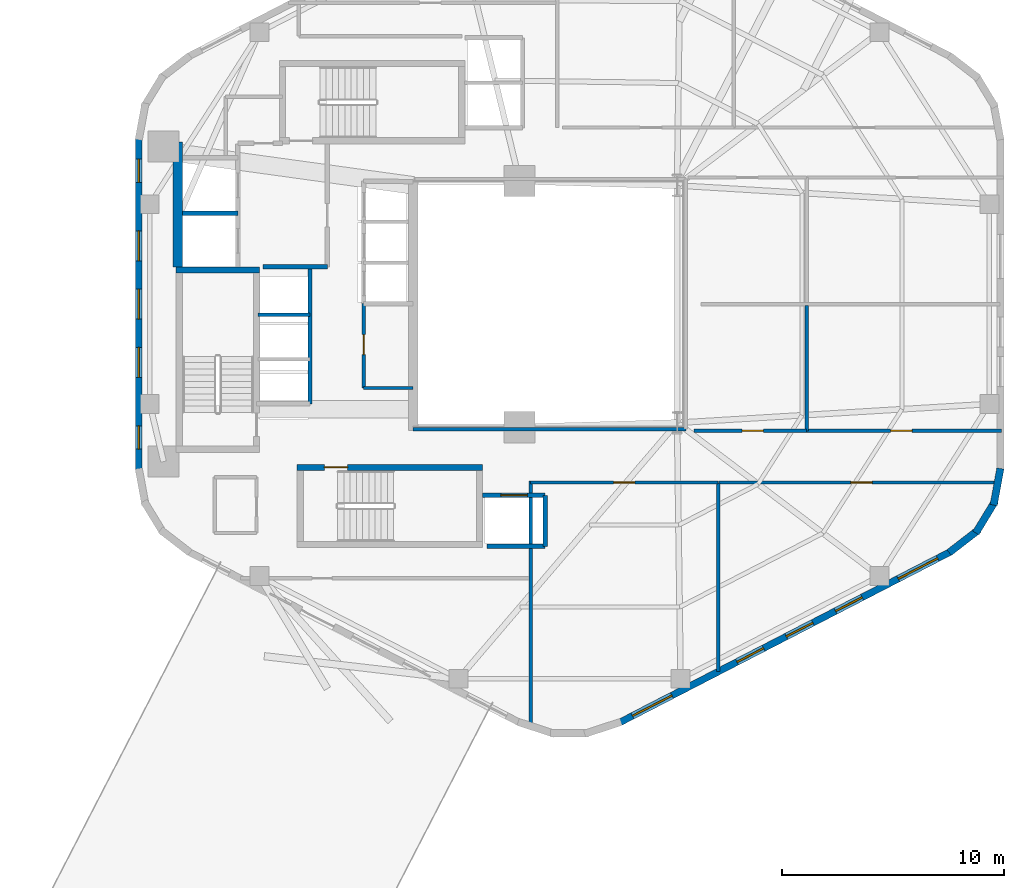
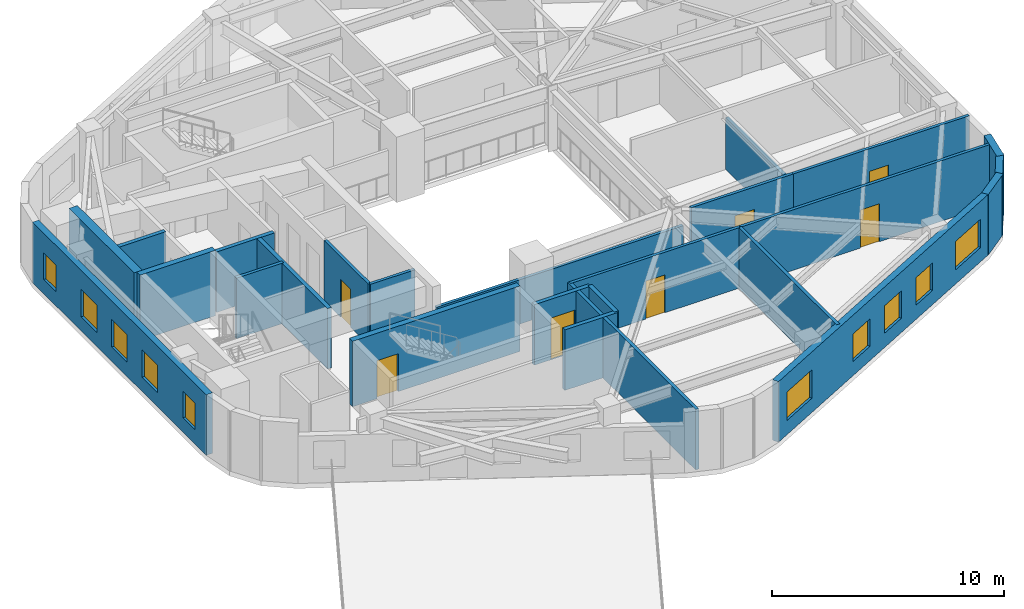
# One storey, part 3 of 7: 25 walls, 10 windows, 7 doors, 17 openings.
"""IFC4 building model written with IfcOpenShell, lengths in metres."""

from ifc_helpers import new_model, si_unit, direction, frame, frame_2d, origin, place, context, subcontext, project, spatial, rectangle, extrude, material, layer, layer_set, type_object, element, fill, save


model = new_model("IFC4")

# Units and contexts
model_context = context("Model", 3, precision=1e-05, world=origin(), true_north=direction((0.0, 1.0)))
body_context = subcontext(model_context, "Body", "Model", "MODEL_VIEW")
ifc_project = project(units=[si_unit("LENGTHUNIT", "METRE"), si_unit("AREAUNIT", "SQUARE_METRE"), si_unit("VOLUMEUNIT", "CUBIC_METRE"), si_unit("PLANEANGLEUNIT", "RADIAN"), si_unit("MASSUNIT", "GRAM", prefix="KILO"), si_unit("THERMODYNAMICTEMPERATUREUNIT", "KELVIN"), si_unit("POWERUNIT", "WATT")], contexts=[model_context])

# Site, building, storey
site_placement = place(None, origin())
site = spatial("IfcSite", under=ifc_project, at=site_placement, CompositionType="ELEMENT")
building_placement = place(site_placement, origin())
building = spatial("IfcBuilding", under=site, at=building_placement, Name="Skarre Station Tower", CompositionType="ELEMENT")
storey_placement = place(building_placement, frame((0.0, 0.0, 184.35009765625)))
storey = spatial("IfcBuildingStorey", under=building, at=storey_placement, Name="L50", CompositionType="ELEMENT", Elevation=184.35009765625)

# Wall, opening, door
ifc_material_1 = material(Name="Acoustic Steel-Stud Gypsum Partition", Category="steel")
ifc_layer_1 = layer(ifc_material_1, 0.14990234375, Name="Acoustic Steel-Stud Gypsum Partition")
ifc_layer_set_1 = layer_set([ifc_layer_1], Name="Acoustic Steel-Stud Gypsum Partition")
wall_type_1 = type_object("IfcWallType", Name="Fire-Rated Corridor Acoustic Partition 150", PredefinedType="PARTITIONING", material=ifc_layer_set_1)
wall_1_placement = place(storey_placement, frame((25.320068359375, 24.02001953125, 0.0), z_axis=(0.0, 0.0, 1.0), x_axis=(0.0, -1.0, 0.0)))
wall_1 = element("IfcWall", 1, at=wall_1_placement, inside=storey, type_object=wall_type_1, Name="L50 Interior Partition WL-PT-L50-RC1-W", PredefinedType="PARTITIONING", context=body_context, shape_type="SweptSolid", body=[
    extrude(rectangle(XDim=3.800048828125, YDim=0.14990234375, at=frame_2d((1.89990234375, 0.0))), origin(), (0.0, 0.0, 1.0), 3.18994140625),
])
opening_1_placement = place(wall_1_placement, frame((1.39990234375, 0.0, 0.0)))
opening_1 = element("IfcOpeningElement", 2, at=opening_1_placement, cuts=wall_1, Name="Opening DR-SVC90", PredefinedType="OPENING", context=body_context, shape_type="SweptSolid", body=[
    extrude(rectangle(XDim=0.89990234375, YDim=2.0, at=frame_2d((0.449951171875, 1.0))), frame((0.0, 0.0849609375, 0.0), z_axis=(0.0, -1.0, 0.0), x_axis=(1.0, 0.0, 0.0)), (0.0, 0.0, 1.0), 0.169921875),
])
ifc_material_2 = material(Name="Powder-Coated Hollow-Metal Acoustic Fire Leaf", Category="steel")
door_type_1 = type_object("IfcDoorType", Name="Service & Riser Fire Door FD60 900x2100", OperationType="SINGLE_SWING_LEFT", PredefinedType="DOOR", material=ifc_material_2)
door_1_placement = place(opening_1_placement, origin())
door_1 = element("IfcDoor", 3, at=door_1_placement, inside=storey, type_object=door_type_1, Name="L50 Housekeeping Room Door", OperationType="SINGLE_SWING_LEFT", OverallHeight=2.0, OverallWidth=0.89990234375, PredefinedType="DOOR", context=body_context, shape_type="SweptSolid", body=[
    extrude(rectangle(XDim=0.89990234375, YDim=2.0, at=frame_2d((0.449951171875, 1.0))), frame((0.0, 0.02490234375, 0.0), z_axis=(0.0, -1.0, 0.0), x_axis=(1.0, 0.0, 0.0)), (0.0, 0.0, 1.0), 0.050048828125),
])
fill(opening_1, door_1)

# Walls
wall_2_placement = place(storey_placement, frame((25.320068359375, 20.219970703125, 0.0), z_axis=(0.0, 0.0, 1.0), x_axis=(1.0, 0.0, 0.0)))
element("IfcWall", 4, at=wall_2_placement, inside=storey, type_object=wall_type_1, Name="L50 Interior Partition WL-PT-L50-RC1-S", PredefinedType="PARTITIONING", context=body_context, shape_type="SweptSolid", body=[
    extrude(rectangle(XDim=2.22998046875, YDim=0.14990234375, at=frame_2d((1.114990234375, 0.0))), origin(), (0.0, 0.0, 1.0), 3.18994140625),
])
wall_3_placement = place(storey_placement, frame((27.550048828125, 18.360107421875, 0.0), z_axis=(0.0, 0.0, 1.0), x_axis=(1.0, 0.0, 0.0)))
element("IfcWall", 5, at=wall_3_placement, inside=storey, type_object=wall_type_1, Name="L50 Interior Partition WL-PT-L50-ATRW-S", PredefinedType="PARTITIONING", context=body_context, shape_type="SweptSolid", body=[
    extrude(rectangle(XDim=12.2900390625, YDim=0.14990234375, at=frame_2d((6.14501953125, 0.0))), origin(), (0.0, 0.0, 1.0), 2.330810546875),
])

# Wall, opening, door
wall_4_placement = place(storey_placement, frame((45.281005859375, 18.2900390625, 0.0), z_axis=(0.0, 0.0, 1.0), x_axis=(-1.0, 0.0, 0.0)))
wall_4 = element("IfcWall", 6, at=wall_4_placement, inside=storey, type_object=wall_type_1, Name="L50 Interior Partition WL-PT-L50-EWS1-CW", PredefinedType="PARTITIONING", context=body_context, shape_type="SweptSolid", body=[
    extrude(rectangle(XDim=5.0810546875, YDim=0.14990234375, at=frame_2d((2.54052734375, 0.0))), origin(), (0.0, 0.0, 1.0), 3.18994140625),
])
opening_2_placement = place(wall_4_placement, frame((1.93994140625, 0.0, 0.0)))
opening_2 = element("IfcOpeningElement", 7, at=opening_2_placement, cuts=wall_4, Name="Opening DR-FD60", PredefinedType="OPENING", context=body_context, shape_type="SweptSolid", body=[
    extrude(rectangle(XDim=0.9599609375, YDim=2.0, at=frame_2d((0.47998046875, 1.0))), frame((0.0, 0.0849609375, 0.0), z_axis=(0.0, -1.0, 0.0), x_axis=(1.0, 0.0, 0.0)), (0.0, 0.0, 1.0), 0.169921875),
])
ifc_material_3 = material(Name="Nordic White-Oak Veneer Solid-Core Fire Leaf", Category="wood")
door_type_2 = type_object("IfcDoorType", Name="Corridor Suite Entry Fire Door FD60 960x2150", OperationType="SINGLE_SWING_LEFT", PredefinedType="DOOR", material=ifc_material_3)
door_2_placement = place(opening_2_placement, origin())
door_2 = element("IfcDoor", 8, at=door_2_placement, inside=storey, type_object=door_type_2, Name="L50 EWS1 Entry Door", OperationType="SINGLE_SWING_LEFT", OverallHeight=2.0, OverallWidth=0.9599609375, PredefinedType="DOOR", context=body_context, shape_type="SweptSolid", body=[
    extrude(rectangle(XDim=0.9599609375, YDim=2.0, at=frame_2d((0.47998046875, 1.0))), frame((0.0, 0.02490234375, 0.0), z_axis=(0.0, -1.0, 0.0), x_axis=(1.0, 0.0, 0.0)), (0.0, 0.0, 1.0), 0.050048828125),
])
fill(opening_2, door_2)

wall_5_placement = place(storey_placement, frame((54.06201171875, 18.2900390625, 0.0), z_axis=(0.0, 0.0, 1.0), x_axis=(-1.0, 0.0, 0.0)))
wall_5 = element("IfcWall", 9, at=wall_5_placement, inside=storey, type_object=wall_type_1, Name="L50 Interior Partition WL-PT-L50-EWS2-CW", PredefinedType="PARTITIONING", context=body_context, shape_type="SweptSolid", body=[
    extrude(rectangle(XDim=8.77099609375, YDim=0.14990234375, at=frame_2d((4.385498046875, 0.0))), origin(), (0.0, 0.0, 1.0), 3.18994140625),
])
opening_3_placement = place(wall_5_placement, frame((4.02490234375, 0.0, 0.0)))
opening_3 = element("IfcOpeningElement", 10, at=opening_3_placement, cuts=wall_5, Name="Opening DR-FD60", PredefinedType="OPENING", context=body_context, shape_type="SweptSolid", body=[
    extrude(rectangle(XDim=0.9599609375, YDim=2.0, at=frame_2d((0.47998046875, 1.0))), frame((0.0, 0.0849609375, 0.0), z_axis=(0.0, -1.0, 0.0), x_axis=(1.0, 0.0, 0.0)), (0.0, 0.0, 1.0), 0.169921875),
])
door_3_placement = place(opening_3_placement, origin())
door_3 = element("IfcDoor", 11, at=door_3_placement, inside=storey, type_object=door_type_2, Name="L50 EWS2 Entry Door", OperationType="SINGLE_SWING_LEFT", OverallHeight=2.0, OverallWidth=0.9599609375, PredefinedType="DOOR", context=body_context, shape_type="SweptSolid", body=[
    extrude(rectangle(XDim=0.9599609375, YDim=2.0, at=frame_2d((0.47998046875, 1.0))), frame((0.0, 0.02490234375, 0.0), z_axis=(0.0, -1.0, 0.0), x_axis=(1.0, 0.0, 0.0)), (0.0, 0.0, 1.0), 0.050048828125),
])
fill(opening_3, door_3)

wall_6_placement = place(storey_placement, frame((32.85009765625, 15.9599609375, 0.0), z_axis=(0.0, 0.0, 1.0), x_axis=(1.0, 0.0, 0.0)))
wall_6 = element("IfcWall", 12, at=wall_6_placement, inside=storey, type_object=wall_type_1, Name="L50 Interior Partition WL-PT-L50-SW1-CW", PredefinedType="PARTITIONING", context=body_context, shape_type="SweptSolid", body=[
    extrude(rectangle(XDim=8.43701171875, YDim=0.14990234375, at=frame_2d((4.218505859375, 0.0))), origin(), (0.0, 0.0, 1.0), 3.18994140625),
])
opening_4_placement = place(wall_6_placement, frame((3.739013671875, 0.0, 0.0)))
opening_4 = element("IfcOpeningElement", 13, at=opening_4_placement, cuts=wall_6, Name="Opening DR-FD60", PredefinedType="OPENING", context=body_context, shape_type="SweptSolid", body=[
    extrude(rectangle(XDim=0.9599609375, YDim=2.0, at=frame_2d((0.47998046875, 1.0))), frame((0.0, 0.0849609375, 0.0), z_axis=(0.0, -1.0, 0.0), x_axis=(1.0, 0.0, 0.0)), (0.0, 0.0, 1.0), 0.169921875),
])
door_4_placement = place(opening_4_placement, origin())
door_4 = element("IfcDoor", 14, at=door_4_placement, inside=storey, type_object=door_type_2, Name="L50 SW1 Entry Door", OperationType="SINGLE_SWING_LEFT", OverallHeight=2.0, OverallWidth=0.9599609375, PredefinedType="DOOR", context=body_context, shape_type="SweptSolid", body=[
    extrude(rectangle(XDim=0.9599609375, YDim=2.0, at=frame_2d((0.47998046875, 1.0))), frame((0.0, 0.02490234375, 0.0), z_axis=(0.0, -1.0, 0.0), x_axis=(1.0, 0.0, 0.0)), (0.0, 0.0, 1.0), 0.050048828125),
])
fill(opening_4, door_4)

wall_7_placement = place(storey_placement, frame((41.322998046875, 15.9599609375, 0.0), z_axis=(0.0, 0.0, 1.0), x_axis=(1.0, 0.0, 0.0)))
wall_7 = element("IfcWall", 15, at=wall_7_placement, inside=storey, type_object=wall_type_1, Name="L50 Interior Partition WL-PT-L50-SW2-CW", PredefinedType="PARTITIONING", context=body_context, shape_type="SweptSolid", body=[
    extrude(rectangle(XDim=12.739990234375, YDim=0.14990234375, at=frame_2d((6.3701171875, 0.0))), origin(), (0.0, 0.0, 1.0), 3.18994140625),
])
opening_5_placement = place(wall_7_placement, frame((5.958984375, 0.0, 0.0)))
opening_5 = element("IfcOpeningElement", 16, at=opening_5_placement, cuts=wall_7, Name="Opening DR-FD60", PredefinedType="OPENING", context=body_context, shape_type="SweptSolid", body=[
    extrude(rectangle(XDim=0.9599609375, YDim=2.0, at=frame_2d((0.47998046875, 1.0))), frame((0.0, 0.0849609375, 0.0), z_axis=(0.0, -1.0, 0.0), x_axis=(1.0, 0.0, 0.0)), (0.0, 0.0, 1.0), 0.169921875),
])
door_5_placement = place(opening_5_placement, origin())
door_5 = element("IfcDoor", 17, at=door_5_placement, inside=storey, type_object=door_type_2, Name="L50 SW2 Entry Door", OperationType="SINGLE_SWING_LEFT", OverallHeight=2.0, OverallWidth=0.9599609375, PredefinedType="DOOR", context=body_context, shape_type="SweptSolid", body=[
    extrude(rectangle(XDim=0.9599609375, YDim=2.0, at=frame_2d((0.47998046875, 1.0))), frame((0.0, 0.02490234375, 0.0), z_axis=(0.0, -1.0, 0.0), x_axis=(1.0, 0.0, 0.0)), (0.0, 0.0, 1.0), 0.050048828125),
])
fill(opening_5, door_5)

# Walls
ifc_material_4 = material(Name="Precast concrete C45/55", Category="concrete")
ifc_layer_2 = layer(ifc_material_4, 0.330078125, Name="Precast concrete C45/55")
ifc_layer_set_2 = layer_set([ifc_layer_2], Name="Precast concrete C45/55")
wall_type_2 = type_object("IfcWallType", Name="Nordic Rounded Corner Precast Wall 330", PredefinedType="STANDARD", material=ifc_layer_set_2)
wall_8_placement = place(storey_placement, frame((54.02099609375, 16.592041015625, 0.0), z_axis=(0.0, 0.0, 1.0), x_axis=(-0.180717642671, -0.983535019014, 0.0)))
element("IfcWall", 18, at=wall_8_placement, inside=storey, type_object=wall_type_2, Name="L50 Rounded Corner Precast Wall F5-1", PredefinedType="STANDARD", context=body_context, shape_type="SweptSolid", body=[
    extrude(rectangle(XDim=1.676513671875, YDim=0.330078125, at=frame_2d((0.83837890625, 0.0))), origin(), (0.0, 0.0, 1.0), 3.18994140625),
])
wall_9_placement = place(storey_placement, frame((53.784912109375, 15.117919921875, 0.0), z_axis=(0.0, 0.0, 1.0), x_axis=(-0.520219286058, -0.85403272444, 0.0)))
element("IfcWall", 19, at=wall_9_placement, inside=storey, type_object=wall_type_2, Name="L50 Rounded Corner Precast Wall F5-2", PredefinedType="STANDARD", context=body_context, shape_type="SweptSolid", body=[
    extrude(rectangle(XDim=1.677734375, YDim=0.330078125, at=frame_2d((0.8388671875, 0.0))), origin(), (0.0, 0.0, 1.0), 3.18994140625),
])
wall_10_placement = place(storey_placement, frame((53.0380859375, 13.824951171875, 0.0), z_axis=(0.0, 0.0, 1.0), x_axis=(-0.791464279355, -0.611215423976, 0.0)))
element("IfcWall", 20, at=wall_10_placement, inside=storey, type_object=wall_type_2, Name="L50 Rounded Corner Precast Wall F5-3", PredefinedType="STANDARD", context=body_context, shape_type="SweptSolid", body=[
    extrude(rectangle(XDim=1.6767578125, YDim=0.330078125, at=frame_2d((0.83837890625, 0.0))), origin(), (0.0, 0.0, 1.0), 3.18994140625),
])

# Wall, openings, windows
ifc_layer_3 = layer(ifc_material_4, 0.31005859375, Name="Precast concrete C45/55")
ifc_layer_set_3 = layer_set([ifc_layer_3], Name="Precast concrete C45/55")
wall_type_3 = type_object("IfcWallType", Name="Nordic Upper-Zone Precast Facet Wall 310", PredefinedType="STANDARD", material=ifc_layer_set_3)
wall_11_placement = place(storey_placement, frame((15.18310546875, 16.498046875, 0.0), z_axis=(0.0, 0.0, 1.0), x_axis=(0.0, 1.0, 0.0)))
wall_11 = element("IfcWall", 21, at=wall_11_placement, inside=storey, type_object=wall_type_3, Name="L50 Facet 2 Nordic Precast Masonry Wall", PredefinedType="STANDARD", context=body_context, shape_type="SweptSolid", body=[
    extrude(rectangle(XDim=15.00390625, YDim=0.31005859375, at=frame_2d((7.501953125, 0.0))), origin(), (0.0, 0.0, 1.0), 3.18994140625),
])
opening_6_placement = place(wall_11_placement, frame((0.968017578125, 0.0, 0.75)))
opening_6 = element("IfcOpeningElement", 22, at=opening_6_placement, cuts=wall_11, Name="Opening WN-SLT", PredefinedType="OPENING", context=body_context, shape_type="SweptSolid", body=[
    extrude(rectangle(XDim=1.050048828125, YDim=1.39990234375, at=frame_2d((0.52490234375, 0.699951171875))), frame((0.0, 0.1650390625, 0.0), z_axis=(0.0, -1.0, 0.0), x_axis=(1.0, 0.0, 0.0)), (0.0, 0.0, 1.0), 0.330078125),
])
opening_7_placement = place(wall_11_placement, frame((4.202880859375, 0.0, 0.75)))
opening_7 = element("IfcOpeningElement", 23, at=opening_7_placement, cuts=wall_11, Name="Opening WN-Z3B", PredefinedType="OPENING", context=body_context, shape_type="SweptSolid", body=[
    extrude(rectangle(XDim=1.35009765625, YDim=1.449951171875, at=frame_2d((0.675048828125, 0.72509765625))), frame((0.0, 0.1650390625, 0.0), z_axis=(0.0, -1.0, 0.0), x_axis=(1.0, 0.0, 0.0)), (0.0, 0.0, 1.0), 0.330078125),
])
opening_8_placement = place(wall_11_placement, frame((6.826904296875, 0.0, 0.75)))
opening_8 = element("IfcOpeningElement", 24, at=opening_8_placement, cuts=wall_11, Name="Opening WN-Z3B", PredefinedType="OPENING", context=body_context, shape_type="SweptSolid", body=[
    extrude(rectangle(XDim=1.35009765625, YDim=1.449951171875, at=frame_2d((0.675048828125, 0.72509765625))), frame((0.0, 0.1650390625, 0.0), z_axis=(0.0, -1.0, 0.0), x_axis=(1.0, 0.0, 0.0)), (0.0, 0.0, 1.0), 0.330078125),
])
opening_9_placement = place(wall_11_placement, frame((9.450927734375, 0.0, 0.75)))
opening_9 = element("IfcOpeningElement", 25, at=opening_9_placement, cuts=wall_11, Name="Opening WN-Z3B", PredefinedType="OPENING", context=body_context, shape_type="SweptSolid", body=[
    extrude(rectangle(XDim=1.35009765625, YDim=1.449951171875, at=frame_2d((0.675048828125, 0.72509765625))), frame((0.0, 0.1650390625, 0.0), z_axis=(0.0, -1.0, 0.0), x_axis=(1.0, 0.0, 0.0)), (0.0, 0.0, 1.0), 0.330078125),
])
opening_10_placement = place(wall_11_placement, frame((12.986083984375, 0.0, 0.75)))
opening_10 = element("IfcOpeningElement", 26, at=opening_10_placement, cuts=wall_11, Name="Opening WN-SLT", PredefinedType="OPENING", context=body_context, shape_type="SweptSolid", body=[
    extrude(rectangle(XDim=1.050048828125, YDim=1.39990234375, at=frame_2d((0.52490234375, 0.699951171875))), frame((0.0, 0.1650390625, 0.0), z_axis=(0.0, -1.0, 0.0), x_axis=(1.0, 0.0, 0.0)), (0.0, 0.0, 1.0), 0.330078125),
])
ifc_material_5 = material(Name="Low-Iron Triple Glazing with Bronze Anodized Frame", Category="glass")
window_type_1 = type_object("IfcWindowType", Name="Nordic Corner Slot Window 1050x1400", PartitioningType="SINGLE_PANEL", PredefinedType="WINDOW", material=ifc_material_5)
window_1_placement = place(opening_6_placement, origin())
window_1 = element("IfcWindow", 27, at=window_1_placement, inside=storey, type_object=window_type_1, Name="L50 Facade Window WL-FAC-L50-F2-1", OverallHeight=1.39990234375, OverallWidth=1.050048828125, PartitioningType="SINGLE_PANEL", PredefinedType="WINDOW", context=body_context, shape_type="SweptSolid", body=[
    extrude(rectangle(XDim=1.050048828125, YDim=1.39990234375, at=frame_2d((0.52490234375, 0.699951171875))), frame((0.0, 0.030029296875, 0.0), z_axis=(0.0, -1.0, 0.0), x_axis=(1.0, 0.0, 0.0)), (0.0, 0.0, 1.0), 0.06005859375),
])
fill(opening_6, window_1)
window_2_placement = place(opening_10_placement, origin())
window_2 = element("IfcWindow", 28, at=window_2_placement, inside=storey, type_object=window_type_1, Name="L50 Facade Window WL-FAC-L50-F2-5", OverallHeight=1.39990234375, OverallWidth=1.050048828125, PartitioningType="SINGLE_PANEL", PredefinedType="WINDOW", context=body_context, shape_type="SweptSolid", body=[
    extrude(rectangle(XDim=1.050048828125, YDim=1.39990234375, at=frame_2d((0.52490234375, 0.699951171875))), frame((0.0, 0.030029296875, 0.0), z_axis=(0.0, -1.0, 0.0), x_axis=(1.0, 0.0, 0.0)), (0.0, 0.0, 1.0), 0.06005859375),
])
fill(opening_10, window_2)
window_type_2 = type_object("IfcWindowType", Name="Nordic Hospitality Narrow Window 1350x1450", PartitioningType="SINGLE_PANEL", PredefinedType="WINDOW", material=ifc_material_5)
window_3_placement = place(opening_7_placement, origin())
window_3 = element("IfcWindow", 29, at=window_3_placement, inside=storey, type_object=window_type_2, Name="L50 Facade Window WL-FAC-L50-F2-2", OverallHeight=1.449951171875, OverallWidth=1.35009765625, PartitioningType="SINGLE_PANEL", PredefinedType="WINDOW", context=body_context, shape_type="SweptSolid", body=[
    extrude(rectangle(XDim=1.35009765625, YDim=1.449951171875, at=frame_2d((0.675048828125, 0.72509765625))), frame((0.0, 0.030029296875, 0.0), z_axis=(0.0, -1.0, 0.0), x_axis=(1.0, 0.0, 0.0)), (0.0, 0.0, 1.0), 0.06005859375),
])
fill(opening_7, window_3)
window_4_placement = place(opening_8_placement, origin())
window_4 = element("IfcWindow", 30, at=window_4_placement, inside=storey, type_object=window_type_2, Name="L50 Facade Window WL-FAC-L50-F2-3", OverallHeight=1.449951171875, OverallWidth=1.35009765625, PartitioningType="SINGLE_PANEL", PredefinedType="WINDOW", context=body_context, shape_type="SweptSolid", body=[
    extrude(rectangle(XDim=1.35009765625, YDim=1.449951171875, at=frame_2d((0.675048828125, 0.72509765625))), frame((0.0, 0.030029296875, 0.0), z_axis=(0.0, -1.0, 0.0), x_axis=(1.0, 0.0, 0.0)), (0.0, 0.0, 1.0), 0.06005859375),
])
fill(opening_8, window_4)
window_5_placement = place(opening_9_placement, origin())
window_5 = element("IfcWindow", 31, at=window_5_placement, inside=storey, type_object=window_type_2, Name="L50 Facade Window WL-FAC-L50-F2-4", OverallHeight=1.449951171875, OverallWidth=1.35009765625, PartitioningType="SINGLE_PANEL", PredefinedType="WINDOW", context=body_context, shape_type="SweptSolid", body=[
    extrude(rectangle(XDim=1.35009765625, YDim=1.449951171875, at=frame_2d((0.675048828125, 0.72509765625))), frame((0.0, 0.030029296875, 0.0), z_axis=(0.0, -1.0, 0.0), x_axis=(1.0, 0.0, 0.0)), (0.0, 0.0, 1.0), 0.06005859375),
])
fill(opening_9, window_5)

wall_12_placement = place(storey_placement, frame((51.7919921875, 12.846923828125, 0.0), z_axis=(0.0, 0.0, 1.0), x_axis=(-0.888626188278, -0.458632202867, 0.0)))
wall_12 = element("IfcWall", 32, at=wall_12_placement, inside=storey, type_object=wall_type_3, Name="L50 Facet 4 Nordic Precast Masonry Wall", PredefinedType="STANDARD", context=body_context, shape_type="SweptSolid", body=[
    extrude(rectangle(XDim=16.828369140625, YDim=0.31005859375, at=frame_2d((8.4140625, 0.0))), origin(), (0.0, 0.0, 1.0), 3.18994140625),
])
opening_11_placement = place(wall_12_placement, frame((0.675048828125, 0.0, 0.75)))
opening_11 = element("IfcOpeningElement", 33, at=opening_11_placement, cuts=wall_12, Name="Opening WN-Z3A", PredefinedType="OPENING", context=body_context, shape_type="SweptSolid", body=[
    extrude(rectangle(XDim=2.0, YDim=1.5, at=frame_2d((1.0, 0.75))), frame((0.0, 0.1650390625, 0.0), z_axis=(0.0, -1.0, 0.0), x_axis=(1.0, 0.0, 0.0)), (0.0, 0.0, 1.0), 0.330078125),
])
opening_12_placement = place(wall_12_placement, frame((4.506103515625, 0.0, 0.75)))
opening_12 = element("IfcOpeningElement", 34, at=opening_12_placement, cuts=wall_12, Name="Opening WN-Z3B", PredefinedType="OPENING", context=body_context, shape_type="SweptSolid", body=[
    extrude(rectangle(XDim=1.35009765625, YDim=1.449951171875, at=frame_2d((0.675048828125, 0.72509765625))), frame((0.0, 0.1650390625, 0.0), z_axis=(0.0, -1.0, 0.0), x_axis=(1.0, 0.0, 0.0)), (0.0, 0.0, 1.0), 0.330078125),
])
opening_13_placement = place(wall_12_placement, frame((7.006103515625, 0.0, 0.75)))
opening_13 = element("IfcOpeningElement", 35, at=opening_13_placement, cuts=wall_12, Name="Opening WN-Z3B", PredefinedType="OPENING", context=body_context, shape_type="SweptSolid", body=[
    extrude(rectangle(XDim=1.35009765625, YDim=1.449951171875, at=frame_2d((0.675048828125, 0.72509765625))), frame((0.0, 0.1650390625, 0.0), z_axis=(0.0, -1.0, 0.0), x_axis=(1.0, 0.0, 0.0)), (0.0, 0.0, 1.0), 0.330078125),
])
opening_14_placement = place(wall_12_placement, frame((9.506103515625, 0.0, 0.75)))
opening_14 = element("IfcOpeningElement", 36, at=opening_14_placement, cuts=wall_12, Name="Opening WN-Z3B", PredefinedType="OPENING", context=body_context, shape_type="SweptSolid", body=[
    extrude(rectangle(XDim=1.35009765625, YDim=1.449951171875, at=frame_2d((0.675048828125, 0.72509765625))), frame((0.0, 0.1650390625, 0.0), z_axis=(0.0, -1.0, 0.0), x_axis=(1.0, 0.0, 0.0)), (0.0, 0.0, 1.0), 0.330078125),
])
opening_15_placement = place(wall_12_placement, frame((14.153076171875, 0.0, 0.75)))
opening_15 = element("IfcOpeningElement", 37, at=opening_15_placement, cuts=wall_12, Name="Opening WN-Z3A", PredefinedType="OPENING", context=body_context, shape_type="SweptSolid", body=[
    extrude(rectangle(XDim=2.0, YDim=1.5, at=frame_2d((1.0, 0.75))), frame((0.0, 0.1650390625, 0.0), z_axis=(0.0, -1.0, 0.0), x_axis=(1.0, 0.0, 0.0)), (0.0, 0.0, 1.0), 0.330078125),
])
window_6_placement = place(opening_12_placement, origin())
window_6 = element("IfcWindow", 38, at=window_6_placement, inside=storey, type_object=window_type_2, Name="L50 Facade Window WL-FAC-L50-F4-2", OverallHeight=1.449951171875, OverallWidth=1.35009765625, PartitioningType="SINGLE_PANEL", PredefinedType="WINDOW", context=body_context, shape_type="SweptSolid", body=[
    extrude(rectangle(XDim=1.35009765625, YDim=1.449951171875, at=frame_2d((0.675048828125, 0.72509765625))), frame((0.0, 0.030029296875, 0.0), z_axis=(0.0, -1.0, 0.0), x_axis=(1.0, 0.0, 0.0)), (0.0, 0.0, 1.0), 0.06005859375),
])
fill(opening_12, window_6)
window_7_placement = place(opening_13_placement, origin())
window_7 = element("IfcWindow", 39, at=window_7_placement, inside=storey, type_object=window_type_2, Name="L50 Facade Window WL-FAC-L50-F4-3", OverallHeight=1.449951171875, OverallWidth=1.35009765625, PartitioningType="SINGLE_PANEL", PredefinedType="WINDOW", context=body_context, shape_type="SweptSolid", body=[
    extrude(rectangle(XDim=1.35009765625, YDim=1.449951171875, at=frame_2d((0.675048828125, 0.72509765625))), frame((0.0, 0.030029296875, 0.0), z_axis=(0.0, -1.0, 0.0), x_axis=(1.0, 0.0, 0.0)), (0.0, 0.0, 1.0), 0.06005859375),
])
fill(opening_13, window_7)
window_8_placement = place(opening_14_placement, origin())
window_8 = element("IfcWindow", 40, at=window_8_placement, inside=storey, type_object=window_type_2, Name="L50 Facade Window WL-FAC-L50-F4-4", OverallHeight=1.449951171875, OverallWidth=1.35009765625, PartitioningType="SINGLE_PANEL", PredefinedType="WINDOW", context=body_context, shape_type="SweptSolid", body=[
    extrude(rectangle(XDim=1.35009765625, YDim=1.449951171875, at=frame_2d((0.675048828125, 0.72509765625))), frame((0.0, 0.030029296875, 0.0), z_axis=(0.0, -1.0, 0.0), x_axis=(1.0, 0.0, 0.0)), (0.0, 0.0, 1.0), 0.06005859375),
])
fill(opening_14, window_8)
window_type_3 = type_object("IfcWindowType", Name="Nordic Hospitality Window 2000x1500", PartitioningType="SINGLE_PANEL", PredefinedType="WINDOW", material=ifc_material_5)
window_9_placement = place(opening_11_placement, origin())
window_9 = element("IfcWindow", 41, at=window_9_placement, inside=storey, type_object=window_type_3, Name="L50 Facade Window WL-FAC-L50-F4-1", OverallHeight=1.5, OverallWidth=2.0, PartitioningType="SINGLE_PANEL", PredefinedType="WINDOW", context=body_context, shape_type="SweptSolid", body=[
    extrude(rectangle(XDim=2.0, YDim=1.5, at=frame_2d((1.0, 0.75))), frame((0.0, 0.030029296875, 0.0), z_axis=(0.0, -1.0, 0.0), x_axis=(1.0, 0.0, 0.0)), (0.0, 0.0, 1.0), 0.06005859375),
])
fill(opening_11, window_9)
window_10_placement = place(opening_15_placement, origin())
window_10 = element("IfcWindow", 42, at=window_10_placement, inside=storey, type_object=window_type_3, Name="L50 Facade Window WL-FAC-L50-F4-5", OverallHeight=1.5, OverallWidth=2.0, PartitioningType="SINGLE_PANEL", PredefinedType="WINDOW", context=body_context, shape_type="SweptSolid", body=[
    extrude(rectangle(XDim=2.0, YDim=1.5, at=frame_2d((1.0, 0.75))), frame((0.0, 0.030029296875, 0.0), z_axis=(0.0, -1.0, 0.0), x_axis=(1.0, 0.0, 0.0)), (0.0, 0.0, 1.0), 0.06005859375),
])
fill(opening_15, window_10)

# Wall
ifc_material_6 = material(Name="Concrete C50/60", Category="concrete")
ifc_layer_4 = layer(ifc_material_6, 0.280029296875, Name="Concrete C50/60")
ifc_layer_set_4 = layer_set([ifc_layer_4], Name="Concrete C50/60")
wall_type_4 = type_object("IfcWallType", Name="RC Core Shear Wall 280", PredefinedType="SHEAR", material=ifc_layer_set_4)
wall_13_placement = place(storey_placement, frame((20.6298828125, 25.5400390625, 0.0), z_axis=(0.0, 0.0, 1.0), x_axis=(-1.0, 0.0, 0.0)))
element("IfcWall", 43, at=wall_13_placement, inside=storey, type_object=wall_type_4, Name="L50 Stair ST-1 North Shear Wall", PredefinedType="SHEAR", context=body_context, shape_type="SweptSolid", body=[
    extrude(rectangle(XDim=3.759765625, YDim=0.280029296875, at=frame_2d((1.8798828125, 0.0))), origin(), (0.0, 0.0, 1.0), 3.449951171875),
])

# Wall, opening, door
wall_14_placement = place(storey_placement, frame((30.679931640625, 16.639892578125, 0.0), z_axis=(0.0, 0.0, 1.0), x_axis=(-1.0, 0.0, 0.0)))
wall_14 = element("IfcWall", 44, at=wall_14_placement, inside=storey, type_object=wall_type_4, Name="L50 Stair ST-2 North Shear Wall", PredefinedType="SHEAR", context=body_context, shape_type="SweptSolid", body=[
    extrude(rectangle(XDim=8.35986328125, YDim=0.280029296875, at=frame_2d((4.179931640625, 0.0))), origin(), (0.0, 0.0, 1.0), 3.449951171875),
])
opening_16_placement = place(wall_14_placement, frame((6.080078125, 0.0, 0.0)))
opening_16 = element("IfcOpeningElement", 45, at=opening_16_placement, cuts=wall_14, Name="Opening DR-FD90", PredefinedType="OPENING", context=body_context, shape_type="SweptSolid", body=[
    extrude(rectangle(XDim=1.050048828125, YDim=2.0, at=frame_2d((0.52490234375, 1.0))), frame((0.0, 0.14990234375, 0.0), z_axis=(0.0, -1.0, 0.0), x_axis=(1.0, 0.0, 0.0)), (0.0, 0.0, 1.0), 0.300048828125),
])
ifc_material_7 = material(Name="Fire-Rated Insulated Steel Frame & Timber Core Leaf", Category="steel")
door_type_3 = type_object("IfcDoorType", Name="Stair & FSAE Lobby Fire Door FD90 1050x2150", OperationType="SINGLE_SWING_RIGHT", PredefinedType="DOOR", material=ifc_material_7)
door_6_placement = place(opening_16_placement, origin())
door_6 = element("IfcDoor", 46, at=door_6_placement, inside=storey, type_object=door_type_3, Name="L50 Stair ST-2 Exit Door", OperationType="SINGLE_SWING_RIGHT", OverallHeight=2.0, OverallWidth=1.050048828125, PredefinedType="DOOR", context=body_context, shape_type="SweptSolid", body=[
    extrude(rectangle(XDim=1.050048828125, YDim=2.0, at=frame_2d((0.52490234375, 1.0))), frame((0.0, 0.02490234375, 0.0), z_axis=(0.0, -1.0, 0.0), x_axis=(1.0, 0.0, 0.0)), (0.0, 0.0, 1.0), 0.050048828125),
])
fill(opening_16, door_6)

# Walls
ifc_material_8 = material(Name="Concrete C60/75", Category="concrete")
ifc_layer_5 = layer(ifc_material_8, 0.419921875, Name="Concrete C60/75")
ifc_layer_set_5 = layer_set([ifc_layer_5], Name="Concrete C60/75")
wall_type_5 = type_object("IfcWallType", Name="RC Core Shear Wall 420", PredefinedType="SHEAR", material=ifc_layer_set_5)
wall_15_placement = place(storey_placement, frame((16.93994140625, 25.679931640625, 0.0), z_axis=(0.0, 0.0, 1.0), x_axis=(0.0, 1.0, 0.0)))
element("IfcWall", 47, at=wall_15_placement, inside=storey, type_object=wall_type_5, Name="L50 Core West-North Shear Wall", PredefinedType="SHEAR", context=body_context, shape_type="SweptSolid", body=[
    extrude(rectangle(XDim=5.6201171875, YDim=0.419921875, at=frame_2d((2.81005859375, 0.0))), origin(), (0.0, 0.0, 1.0), 3.449951171875),
])
ifc_material_9 = material(Name="Gypsum Concrete Shaft Assembly C30/37", Category="concrete")
ifc_layer_6 = layer(ifc_material_9, 0.199951171875, Name="Gypsum Concrete Shaft Assembly C30/37")
ifc_layer_set_6 = layer_set([ifc_layer_6], Name="Gypsum Concrete Shaft Assembly C30/37")
wall_type_6 = type_object("IfcWallType", Name="Shaft & Core Fire Partition 200", PredefinedType="PARTITIONING", material=ifc_layer_set_6)
wall_16_placement = place(storey_placement, frame((20.79296875, 25.679931640625, 0.0), z_axis=(0.0, 0.0, 1.0), x_axis=(1.0, 0.0, 0.0)))
element("IfcWall", 48, at=wall_16_placement, inside=storey, type_object=wall_type_6, Name="L50 Interior Partition WL-PT-L50-FSAE-S", PredefinedType="PARTITIONING", context=body_context, shape_type="SweptSolid", body=[
    extrude(rectangle(XDim=2.886962890625, YDim=0.199951171875, at=frame_2d((1.443359375, 0.0))), origin(), (0.0, 0.0, 1.0), 3.18994140625),
])
wall_17_placement = place(storey_placement, frame((17.14990234375, 28.10009765625, 0.0), z_axis=(0.0, 0.0, 1.0), x_axis=(1.0, 0.0, 0.0)))
element("IfcWall", 49, at=wall_17_placement, inside=storey, type_object=wall_type_6, Name="L50 Interior Partition WL-PT-L50-FF-DIV", PredefinedType="PARTITIONING", context=body_context, shape_type="SweptSolid", body=[
    extrude(rectangle(XDim=2.5, YDim=0.199951171875, at=frame_2d((1.25, 0.0))), origin(), (0.0, 0.0, 1.0), 3.18994140625),
])

# Wall, opening, door
wall_18_placement = place(storey_placement, frame((33.5, 15.3798828125, 0.0), z_axis=(0.0, 0.0, 1.0), x_axis=(-1.0, 0.0, 0.0)))
wall_18 = element("IfcWall", 50, at=wall_18_placement, inside=storey, type_object=wall_type_6, Name="L50 Interior Partition WL-PT-L50-SV1-N", PredefinedType="PARTITIONING", context=body_context, shape_type="SweptSolid", body=[
    extrude(rectangle(XDim=2.820068359375, YDim=0.199951171875, at=frame_2d((1.41015625, 0.0))), origin(), (0.0, 0.0, 1.0), 3.18994140625),
])
opening_17_placement = place(wall_18_placement, frame((0.800048828125, 0.0, 0.0)))
opening_17 = element("IfcOpeningElement", 51, at=opening_17_placement, cuts=wall_18, Name="Opening LD-SV1", PredefinedType="OPENING", context=body_context, shape_type="SweptSolid", body=[
    extrude(rectangle(XDim=1.199951171875, YDim=2.199951171875, at=frame_2d((0.60009765625, 1.10009765625))), frame((0.0, 0.10986328125, 0.0), z_axis=(0.0, -1.0, 0.0), x_axis=(1.0, 0.0, 0.0)), (0.0, 0.0, 1.0), 0.219970703125),
])
ifc_material_10 = material(Name="Heavy-Gauge Brushed Stainless Steel Sliding Leaves", Category="steel")
door_type_4 = type_object("IfcDoorType", Name="Service Elevator Wide Sliding Landing Door 1200x2200", OperationType="SLIDING_TO_RIGHT", PredefinedType="DOOR", material=ifc_material_10)
door_7_placement = place(opening_17_placement, origin())
door_7 = element("IfcDoor", 52, at=door_7_placement, inside=storey, type_object=door_type_4, Name="L50 Service Lift LF-SV1 Landing Door", OperationType="SLIDING_TO_RIGHT", OverallHeight=2.199951171875, OverallWidth=1.199951171875, PredefinedType="DOOR", context=body_context, shape_type="SweptSolid", body=[
    extrude(rectangle(XDim=1.199951171875, YDim=2.199951171875, at=frame_2d((0.60009765625, 1.10009765625))), frame((0.0, 0.02490234375, 0.0), z_axis=(0.0, -1.0, 0.0), x_axis=(1.0, 0.0, 0.0)), (0.0, 0.0, 1.0), 0.050048828125),
])
fill(opening_17, door_7)

# Walls
wall_19_placement = place(storey_placement, frame((33.5, 13.080078125, 0.0), z_axis=(0.0, 0.0, 1.0), x_axis=(0.0, 1.0, 0.0)))
element("IfcWall", 53, at=wall_19_placement, inside=storey, type_object=wall_type_6, Name="L50 Interior Partition WL-PT-L50-SV1-E", PredefinedType="PARTITIONING", context=body_context, shape_type="SweptSolid", body=[
    extrude(rectangle(XDim=2.2998046875, YDim=0.199951171875, at=frame_2d((1.14990234375, 0.0))), origin(), (0.0, 0.0, 1.0), 3.18994140625),
])
wall_20_placement = place(storey_placement, frame((30.87890625, 13.080078125, 0.0), z_axis=(0.0, 0.0, 1.0), x_axis=(1.0, 0.0, 0.0)))
element("IfcWall", 54, at=wall_20_placement, inside=storey, type_object=wall_type_6, Name="L50 Interior Partition WL-PT-L50-SV1-S", PredefinedType="PARTITIONING", context=body_context, shape_type="SweptSolid", body=[
    extrude(rectangle(XDim=2.62109375, YDim=0.199951171875, at=frame_2d((1.310546875, 0.0))), origin(), (0.0, 0.0, 1.0), 3.18994140625),
])
wall_21_placement = place(storey_placement, frame((22.89990234375, 19.5, 0.0), z_axis=(0.0, 0.0, 1.0), x_axis=(0.0, 1.0, 0.0)))
element("IfcWall", 55, at=wall_21_placement, inside=storey, type_object=wall_type_6, Name="L50 Interior Partition WL-PT-L50-B3-E", PredefinedType="PARTITIONING", context=body_context, shape_type="SweptSolid", body=[
    extrude(rectangle(XDim=6.0849609375, YDim=0.199951171875, at=frame_2d((3.04248046875, 0.0))), origin(), (0.0, 0.0, 1.0), 3.18994140625),
])
wall_22_placement = place(storey_placement, frame((20.550048828125, 23.52001953125, 0.0), z_axis=(0.0, 0.0, 1.0), x_axis=(1.0, 0.0, 0.0)))
element("IfcWall", 56, at=wall_22_placement, inside=storey, type_object=wall_type_6, Name="L50 Interior Partition WL-PT-L50-B3-D2", PredefinedType="PARTITIONING", context=body_context, shape_type="SweptSolid", body=[
    extrude(rectangle(XDim=2.349853515625, YDim=0.159912109375, at=frame_2d((1.1748046875, 0.0))), origin(), (0.0, 0.0, 1.0), 3.18994140625),
])
ifc_layer_7 = layer(ifc_material_1, 0.1650390625, Name="Acoustic Steel-Stud Gypsum Partition")
ifc_layer_set_7 = layer_set([ifc_layer_7], Name="Acoustic Steel-Stud Gypsum Partition")
wall_type_7 = type_object("IfcWallType", Name="Suite Demising Acoustic Partition 165", PredefinedType="PARTITIONING", material=ifc_layer_set_7)
wall_23_placement = place(storey_placement, frame((32.85009765625, 4.97607421875, 0.0), z_axis=(0.0, 0.0, 1.0), x_axis=(0.0, 1.0, 0.0)))
element("IfcWall", 57, at=wall_23_placement, inside=storey, type_object=wall_type_7, Name="L50 Interior Partition WL-PT-L50-SWP-E", PredefinedType="PARTITIONING", context=body_context, shape_type="SweptSolid", body=[
    extrude(rectangle(XDim=11.053955078125, YDim=0.1650390625, at=frame_2d((5.52685546875, 0.0))), origin(), (0.0, 0.0, 1.0), 3.18994140625),
])
wall_24_placement = place(storey_placement, frame((45.285888671875, 18.2900390625, 0.0), z_axis=(0.0, 0.0, 1.0), x_axis=(0.0, 1.0, 0.0)))
element("IfcWall", 58, at=wall_24_placement, inside=storey, type_object=wall_type_7, Name="L50 Interior Partition WL-PT-L50-EWS-P1", PredefinedType="PARTITIONING", context=body_context, shape_type="SweptSolid", body=[
    extrude(rectangle(XDim=5.639892578125, YDim=0.1650390625, at=frame_2d((2.81982421875, 0.0))), origin(), (0.0, 0.0, 1.0), 2.73291015625),
])
wall_25_placement = place(storey_placement, frame((41.304931640625, 7.450927734375, 0.0), z_axis=(0.0, 0.0, 1.0), x_axis=(0.0, 1.0, 0.0)))
element("IfcWall", 59, at=wall_25_placement, inside=storey, type_object=wall_type_7, Name="L50 Interior Partition WL-PT-L50-SW-P1", PredefinedType="PARTITIONING", context=body_context, shape_type="SweptSolid", body=[
    extrude(rectangle(XDim=8.47900390625, YDim=0.1650390625, at=frame_2d((4.239501953125, 0.0))), origin(), (0.0, 0.0, 1.0), 3.18994140625),
])

save(model, "model.ifc")
